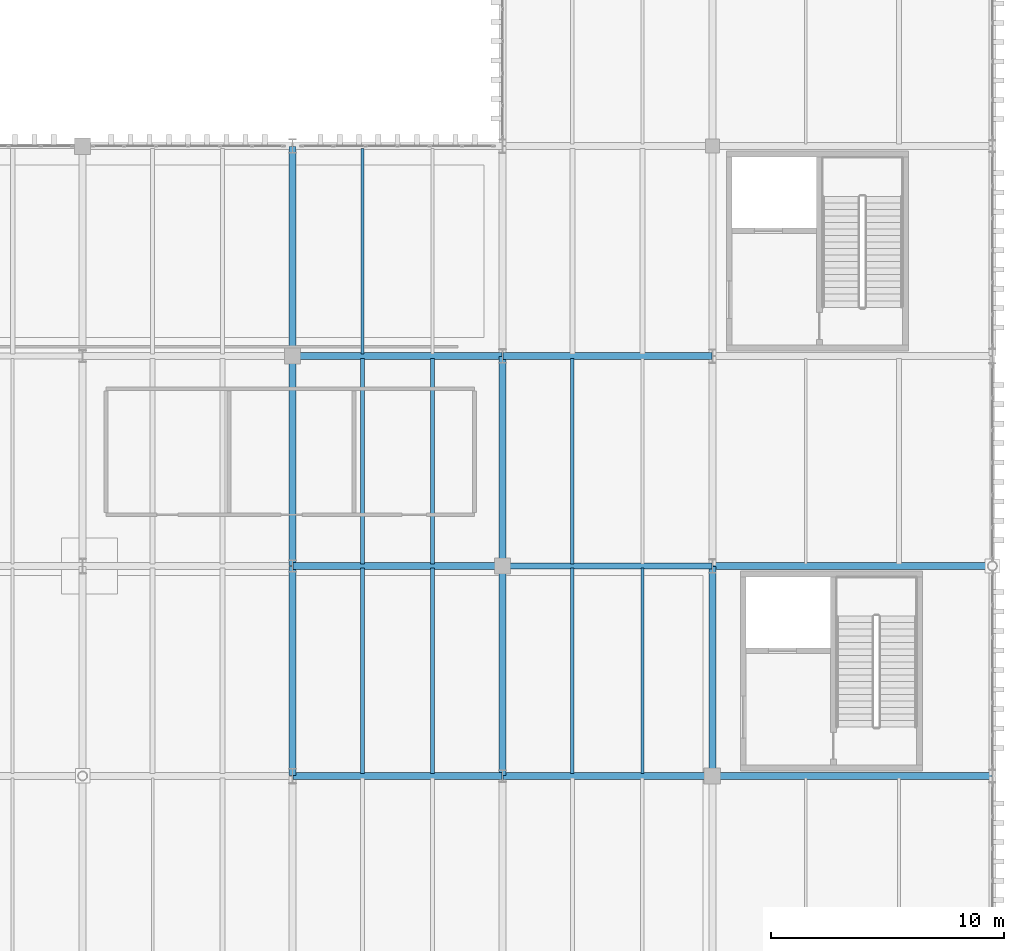
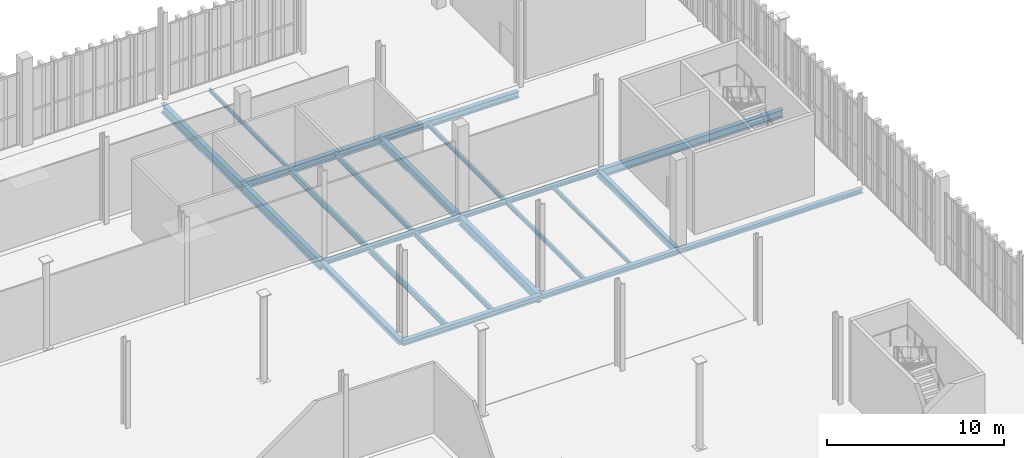
# One storey, part 97 of 211: 22 beams.
"""IFC4 building model written with IfcOpenShell, lengths in metres."""

from ifc_helpers import new_model, si_unit, direction, frame, origin, origin_2d, place, context, subcontext, project, spatial, i_section, extrude, material, material_profile, profile_set, type_object, element, save


model = new_model("IFC4")

# Units and contexts
model_context = context("Model", 3, precision=1e-05, world=origin(), true_north=direction((0.0, 1.0)))
body_context = subcontext(model_context, "Body", "Model", "MODEL_VIEW")
ifc_project = project(units=[si_unit("LENGTHUNIT", "METRE"), si_unit("AREAUNIT", "SQUARE_METRE"), si_unit("VOLUMEUNIT", "CUBIC_METRE"), si_unit("PLANEANGLEUNIT", "RADIAN"), si_unit("MASSUNIT", "GRAM", prefix="KILO")], contexts=[model_context])

# Site, building, storey
site_placement = place(None, origin())
site = spatial("IfcSite", under=ifc_project, at=site_placement, CompositionType="ELEMENT")
building_placement = place(site_placement, origin())
building = spatial("IfcBuilding", under=site, at=building_placement, Name="Barlavento Convention Centre", CompositionType="ELEMENT")
storey_placement = place(building_placement, frame((0.0, 0.0, 6.0)))
storey = spatial("IfcBuildingStorey", under=building, at=storey_placement, Name="L01", CompositionType="ELEMENT", Elevation=6.0)

# Beams
ifc_material = material(Name="Steel S355", Category="steel")
ifc_material_profile_1 = material_profile(ifc_material, i_section(OverallWidth=0.135009765625, OverallDepth=0.27001953125, WebThickness=0.006591796875, FlangeThickness=0.01025390625, FilletRadius=0.014892578125, at=origin_2d()), Name="IPE 270")
ifc_profile_set_1 = profile_set([ifc_material_profile_1], Name="Steel S355")
beam_type_1 = type_object("IfcBeamType", Name="STR-BM-JST-IPE270", PredefinedType="JOIST", material=ifc_profile_set_1)
for number, where, z_axis, x_axis, name in (
    (1, (177.0, 36.094970703125, -0.4951171875), (0.0, 1.0, 0.0), (-1.0, 0.0, 0.0), "L01 composite floor joist SJ08"),
    (2, (165.0, 54.094970703125, -0.4951171875), (0.0, 1.0, 0.0), (-1.0, 0.0, 0.0), "L01 composite floor joist SJ08"),
):
    element("IfcBeam", number, at=place(storey_placement, frame(where, z_axis=z_axis, x_axis=x_axis)), inside=storey, type_object=beam_type_1, Name=name, PredefinedType="JOIST", context=body_context, shape_type="SweptSolid", body=[
        extrude(i_section(OverallWidth=0.135009765625, OverallDepth=0.27001953125, WebThickness=0.006591796875, FlangeThickness=0.01025390625, FilletRadius=0.014892578125, at=origin_2d()), origin(), (0.0, 0.0, 1.0), 8.81005859375),
    ])
ifc_material_profile_2 = material_profile(ifc_material, i_section(OverallWidth=0.14990234375, OverallDepth=0.300048828125, WebThickness=0.007080078125, FlangeThickness=0.0107421875, FilletRadius=0.014892578125, at=origin_2d()), Name="IPE 300")
ifc_profile_set_2 = profile_set([ifc_material_profile_2], Name="Steel S355")
beam_type_2 = type_object("IfcBeamType", Name="STR-BM-JST-IPE300", PredefinedType="JOIST", material=ifc_profile_set_2)
for number, where, z_axis, x_axis, name in (
    (3, (174.0, 36.094970703125, -0.510009765625), (0.0, 1.0, 0.0), (-1.0, 0.0, 0.0), "L01 composite floor joist SJ07"),
    (4, (174.0, 45.094970703125, -0.510009765625), (0.0, 1.0, 0.0), (-1.0, 0.0, 0.0), "L01 composite floor joist SJ07"),
):
    element("IfcBeam", number, at=place(storey_placement, frame(where, z_axis=z_axis, x_axis=x_axis)), inside=storey, type_object=beam_type_2, Name=name, PredefinedType="JOIST", context=body_context, shape_type="SweptSolid", body=[
        extrude(i_section(OverallWidth=0.14990234375, OverallDepth=0.300048828125, WebThickness=0.007080078125, FlangeThickness=0.0107421875, FilletRadius=0.014892578125, at=origin_2d()), origin(), (0.0, 0.0, 1.0), 8.81005859375),
    ])
ifc_material_profile_3 = material_profile(ifc_material, i_section(OverallWidth=0.169921875, OverallDepth=0.360107421875, WebThickness=0.008056640625, FlangeThickness=0.0126953125, FilletRadius=0.01806640625, at=origin_2d()), Name="IPE 360")
ifc_profile_set_3 = profile_set([ifc_material_profile_3], Name="Steel S355")
beam_type_3 = type_object("IfcBeamType", Name="STR-BM-JST-IPE360", PredefinedType="JOIST", material=ifc_profile_set_3)
for number, where, z_axis, x_axis, name in (
    (5, (168.0, 36.094970703125, -0.5400390625), (0.0, 1.0, 0.0), (-1.0, 0.0, 0.0), "L01 composite floor joist SJ05"),
    (6, (168.0, 45.094970703125, -0.5400390625), (0.0, 1.0, 0.0), (-1.0, 0.0, 0.0), "L01 composite floor joist SJ05"),
):
    element("IfcBeam", number, at=place(storey_placement, frame(where, z_axis=z_axis, x_axis=x_axis)), inside=storey, type_object=beam_type_3, Name=name, PredefinedType="JOIST", context=body_context, shape_type="SweptSolid", body=[
        extrude(i_section(OverallWidth=0.169921875, OverallDepth=0.360107421875, WebThickness=0.008056640625, FlangeThickness=0.0126953125, FilletRadius=0.01806640625, at=origin_2d()), origin(), (0.0, 0.0, 1.0), 8.81005859375),
    ])
ifc_material_profile_4 = material_profile(ifc_material, i_section(OverallWidth=0.179931640625, OverallDepth=0.39990234375, WebThickness=0.008544921875, FlangeThickness=0.013427734375, FilletRadius=0.02099609375, at=origin_2d()), Name="IPE 400")
ifc_profile_set_4 = profile_set([ifc_material_profile_4], Name="Steel S355")
beam_type_4 = type_object("IfcBeamType", Name="STR-BM-JST-IPE400", PredefinedType="JOIST", material=ifc_profile_set_4)
for number, where, z_axis, x_axis, name in (
    (7, (165.0, 36.094970703125, -0.56005859375), (0.0, 1.0, 0.0), (-1.0, 0.0, 0.0), "L01 composite floor joist SJ04"),
    (8, (165.0, 45.094970703125, -0.56005859375), (0.0, 1.0, 0.0), (-1.0, 0.0, 0.0), "L01 composite floor joist SJ04"),
):
    element("IfcBeam", number, at=place(storey_placement, frame(where, z_axis=z_axis, x_axis=x_axis)), inside=storey, type_object=beam_type_4, Name=name, PredefinedType="JOIST", context=body_context, shape_type="SweptSolid", body=[
        extrude(i_section(OverallWidth=0.179931640625, OverallDepth=0.39990234375, WebThickness=0.008544921875, FlangeThickness=0.013427734375, FilletRadius=0.02099609375, at=origin_2d()), origin(), (0.0, 0.0, 1.0), 8.81005859375),
    ])
ifc_material_profile_5 = material_profile(ifc_material, i_section(OverallWidth=0.300048828125, OverallDepth=0.35009765625, WebThickness=0.010009765625, FlangeThickness=0.017578125, FilletRadius=0.027099609375, at=origin_2d()), Name="HEA 360")
ifc_profile_set_5 = profile_set([ifc_material_profile_5], Name="Steel S355")
beam_type_5 = type_object("IfcBeamType", Name="STR-BM-PRI-HEA360", PredefinedType="BEAM", material=ifc_profile_set_5)
beam_1_placement = place(storey_placement, frame((162.0, 36.02001953125, -0.534912109375), z_axis=(0.0, 1.0, 0.0), x_axis=(-1.0, 0.0, 0.0)))
element("IfcBeam", 9, at=beam_1_placement, inside=storey, type_object=beam_type_5, Name="L01 grid girder BG23", PredefinedType="BEAM", context=body_context, shape_type="SweptSolid", body=[
    extrude(i_section(OverallWidth=0.300048828125, OverallDepth=0.35009765625, WebThickness=0.010009765625, FlangeThickness=0.017578125, FilletRadius=0.027099609375, at=origin_2d()), origin(), (0.0, 0.0, 1.0), 8.9599609375),
])
ifc_material_profile_6 = material_profile(ifc_material, i_section(OverallWidth=0.300048828125, OverallDepth=0.43994140625, WebThickness=0.011474609375, FlangeThickness=0.02099609375, FilletRadius=0.027099609375, at=origin_2d()), Name="HEA 450")
ifc_profile_set_6 = profile_set([ifc_material_profile_6], Name="Steel S355")
beam_type_6 = type_object("IfcBeamType", Name="STR-BM-PRI-HEA450", PredefinedType="BEAM", material=ifc_profile_set_6)
beam_2_placement = place(storey_placement, frame((180.0, 36.02001953125, -0.580078125), z_axis=(0.0, 1.0, 0.0), x_axis=(-1.0, 0.0, 0.0)))
element("IfcBeam", 10, at=beam_2_placement, inside=storey, type_object=beam_type_6, Name="L01 grid girder BG21", PredefinedType="BEAM", context=body_context, shape_type="SweptSolid", body=[
    extrude(i_section(OverallWidth=0.300048828125, OverallDepth=0.43994140625, WebThickness=0.011474609375, FlangeThickness=0.02099609375, FilletRadius=0.027099609375, at=origin_2d()), origin(), (0.0, 0.0, 1.0), 8.9599609375),
])
ifc_material_profile_7 = material_profile(ifc_material, i_section(OverallWidth=0.300048828125, OverallDepth=0.489990234375, WebThickness=0.011962890625, FlangeThickness=0.02294921875, FilletRadius=0.027099609375, at=origin_2d()), Name="HEA 500")
ifc_profile_set_7 = profile_set([ifc_material_profile_7], Name="Steel S355")
beam_type_7 = type_object("IfcBeamType", Name="STR-BM-PRI-HEA500", PredefinedType="BEAM", material=ifc_profile_set_7)
beam_3_placement = place(storey_placement, frame((171.0, 45.02001953125, -0.60498046875), z_axis=(0.0, 1.0, 0.0), x_axis=(-1.0, 0.0, 0.0)))
element("IfcBeam", 11, at=beam_3_placement, inside=storey, type_object=beam_type_7, Name="L01 grid girder BG20", PredefinedType="BEAM", context=body_context, shape_type="SweptSolid", body=[
    extrude(i_section(OverallWidth=0.300048828125, OverallDepth=0.489990234375, WebThickness=0.011962890625, FlangeThickness=0.02294921875, FilletRadius=0.027099609375, at=origin_2d()), origin(), (0.0, 0.0, 1.0), 8.9599609375),
])
ifc_material_profile_8 = material_profile(ifc_material, i_section(OverallWidth=0.300048828125, OverallDepth=0.590087890625, WebThickness=0.012939453125, FlangeThickness=0.02490234375, FilletRadius=0.027099609375, at=origin_2d()), Name="HEA 600")
ifc_profile_set_8 = profile_set([ifc_material_profile_8], Name="Steel S355")
beam_type_8 = type_object("IfcBeamType", Name="STR-BM-PRI-HEA600", PredefinedType="BEAM", material=ifc_profile_set_8)
beam_4_placement = place(storey_placement, frame((171.0, 36.02001953125, -0.655029296875), z_axis=(0.0, 1.0, 0.0), x_axis=(-1.0, 0.0, 0.0)))
element("IfcBeam", 12, at=beam_4_placement, inside=storey, type_object=beam_type_8, Name="L01 grid girder BG18", PredefinedType="BEAM", context=body_context, shape_type="SweptSolid", body=[
    extrude(i_section(OverallWidth=0.300048828125, OverallDepth=0.590087890625, WebThickness=0.012939453125, FlangeThickness=0.02490234375, FilletRadius=0.027099609375, at=origin_2d()), origin(), (0.0, 0.0, 1.0), 8.9599609375),
])
ifc_material_profile_9 = material_profile(ifc_material, i_section(OverallWidth=0.300048828125, OverallDepth=0.639892578125, WebThickness=0.013427734375, FlangeThickness=0.02587890625, FilletRadius=0.027099609375, at=origin_2d()), Name="HEA 650")
ifc_profile_set_9 = profile_set([ifc_material_profile_9], Name="Steel S355")
beam_type_9 = type_object("IfcBeamType", Name="STR-BM-PRI-HEA650", PredefinedType="BEAM", material=ifc_profile_set_9)
for number, where, z_axis, x_axis, name in (
    (13, (162.0, 45.02001953125, -0.679931640625), (0.0, 1.0, 0.0), (-1.0, 0.0, 0.0), "L01 grid girder BG17"),
    (14, (162.0, 54.02001953125, -0.679931640625), (0.0, 1.0, 0.0), (-1.0, 0.0, 0.0), "L01 grid girder BG17"),
):
    element("IfcBeam", number, at=place(storey_placement, frame(where, z_axis=z_axis, x_axis=x_axis)), inside=storey, type_object=beam_type_9, Name=name, PredefinedType="BEAM", context=body_context, shape_type="SweptSolid", body=[
        extrude(i_section(OverallWidth=0.300048828125, OverallDepth=0.639892578125, WebThickness=0.013427734375, FlangeThickness=0.02587890625, FilletRadius=0.027099609375, at=origin_2d()), origin(), (0.0, 0.0, 1.0), 8.9599609375),
    ])
ifc_material_profile_10 = material_profile(ifc_material, i_section(OverallWidth=0.260009765625, OverallDepth=0.260009765625, WebThickness=0.010009765625, FlangeThickness=0.017578125, FilletRadius=0.02392578125, at=origin_2d()), Name="HEB 260")
ifc_profile_set_10 = profile_set([ifc_material_profile_10], Name="Steel S355")
beam_type_10 = type_object("IfcBeamType", Name="STR-BM-PRI-HEB260", PredefinedType="BEAM", material=ifc_profile_set_10)
beam_5_placement = place(storey_placement, frame((171.02001953125, 45.0, -0.489990234375), z_axis=(1.0, 0.0, 0.0), x_axis=(0.0, 1.0, 0.0)))
element("IfcBeam", 15, at=beam_5_placement, inside=storey, type_object=beam_type_10, Name="L01 primary girder BG16", PredefinedType="BEAM", context=body_context, shape_type="SweptSolid", body=[
    extrude(i_section(OverallWidth=0.260009765625, OverallDepth=0.260009765625, WebThickness=0.010009765625, FlangeThickness=0.017578125, FilletRadius=0.02392578125, at=origin_2d()), origin(), (0.0, 0.0, 1.0), 8.9599609375),
])
ifc_material_profile_11 = material_profile(ifc_material, i_section(OverallWidth=0.280029296875, OverallDepth=0.280029296875, WebThickness=0.010498046875, FlangeThickness=0.01806640625, FilletRadius=0.02392578125, at=origin_2d()), Name="HEB 280")
ifc_profile_set_11 = profile_set([ifc_material_profile_11], Name="Steel S355")
beam_type_11 = type_object("IfcBeamType", Name="STR-BM-PRI-HEB280", PredefinedType="BEAM", material=ifc_profile_set_11)
beam_6_placement = place(storey_placement, frame((162.02001953125, 45.0, -0.5), z_axis=(1.0, 0.0, 0.0), x_axis=(0.0, 1.0, 0.0)))
element("IfcBeam", 16, at=beam_6_placement, inside=storey, type_object=beam_type_11, Name="L01 primary girder BG15", PredefinedType="BEAM", context=body_context, shape_type="SweptSolid", body=[
    extrude(i_section(OverallWidth=0.280029296875, OverallDepth=0.280029296875, WebThickness=0.010498046875, FlangeThickness=0.01806640625, FilletRadius=0.02392578125, at=origin_2d()), origin(), (0.0, 0.0, 1.0), 8.9599609375),
])
ifc_material_profile_12 = material_profile(ifc_material, i_section(OverallWidth=0.300048828125, OverallDepth=0.300048828125, WebThickness=0.010986328125, FlangeThickness=0.01904296875, FilletRadius=0.027099609375, at=origin_2d()), Name="HEB 300")
ifc_profile_set_12 = profile_set([ifc_material_profile_12], Name="Steel S355")
beam_type_12 = type_object("IfcBeamType", Name="STR-BM-PRI-HEB300", PredefinedType="BEAM", material=ifc_profile_set_12)
beam_7_placement = place(storey_placement, frame((180.02001953125, 36.0, -0.510009765625), z_axis=(1.0, 0.0, 0.0), x_axis=(0.0, 1.0, 0.0)))
element("IfcBeam", 17, at=beam_7_placement, inside=storey, type_object=beam_type_12, Name="L01 primary girder BG14", PredefinedType="BEAM", context=body_context, shape_type="SweptSolid", body=[
    extrude(i_section(OverallWidth=0.300048828125, OverallDepth=0.300048828125, WebThickness=0.010986328125, FlangeThickness=0.01904296875, FilletRadius=0.027099609375, at=origin_2d()), origin(), (0.0, 0.0, 1.0), 11.9599609375),
])
ifc_material_profile_13 = material_profile(ifc_material, i_section(OverallWidth=0.300048828125, OverallDepth=0.320068359375, WebThickness=0.011474609375, FlangeThickness=0.0205078125, FilletRadius=0.027099609375, at=origin_2d()), Name="HEB 320")
ifc_profile_set_13 = profile_set([ifc_material_profile_13], Name="Steel S355")
beam_type_13 = type_object("IfcBeamType", Name="STR-BM-PRI-HEB320", PredefinedType="BEAM", material=ifc_profile_set_13)
beam_8_placement = place(storey_placement, frame((171.02001953125, 36.0, -0.52001953125), z_axis=(1.0, 0.0, 0.0), x_axis=(0.0, 1.0, 0.0)))
element("IfcBeam", 18, at=beam_8_placement, inside=storey, type_object=beam_type_13, Name="L01 primary girder BG13", PredefinedType="BEAM", context=body_context, shape_type="SweptSolid", body=[
    extrude(i_section(OverallWidth=0.300048828125, OverallDepth=0.320068359375, WebThickness=0.011474609375, FlangeThickness=0.0205078125, FilletRadius=0.027099609375, at=origin_2d()), origin(), (0.0, 0.0, 1.0), 8.9599609375),
])
ifc_material_profile_14 = material_profile(ifc_material, i_section(OverallWidth=0.300048828125, OverallDepth=0.360107421875, WebThickness=0.012451171875, FlangeThickness=0.0224609375, FilletRadius=0.027099609375, at=origin_2d()), Name="HEB 360")
ifc_profile_set_14 = profile_set([ifc_material_profile_14], Name="Steel S355")
beam_type_14 = type_object("IfcBeamType", Name="STR-BM-PRI-HEB360", PredefinedType="BEAM", material=ifc_profile_set_14)
beam_9_placement = place(storey_placement, frame((162.02001953125, 36.0, -0.5400390625), z_axis=(1.0, 0.0, 0.0), x_axis=(0.0, 1.0, 0.0)))
element("IfcBeam", 19, at=beam_9_placement, inside=storey, type_object=beam_type_14, Name="L01 primary girder BG12", PredefinedType="BEAM", context=body_context, shape_type="SweptSolid", body=[
    extrude(i_section(OverallWidth=0.300048828125, OverallDepth=0.360107421875, WebThickness=0.012451171875, FlangeThickness=0.0224609375, FilletRadius=0.027099609375, at=origin_2d()), origin(), (0.0, 0.0, 1.0), 8.9599609375),
])
ifc_material_profile_15 = material_profile(ifc_material, i_section(OverallWidth=0.300048828125, OverallDepth=0.449951171875, WebThickness=0.013916015625, FlangeThickness=0.02587890625, FilletRadius=0.027099609375, at=origin_2d()), Name="HEB 450")
ifc_profile_set_15 = profile_set([ifc_material_profile_15], Name="Steel S355")
beam_type_15 = type_object("IfcBeamType", Name="STR-BM-PRI-HEB450", PredefinedType="BEAM", material=ifc_profile_set_15)
beam_10_placement = place(storey_placement, frame((171.02001953125, 54.0, -0.5849609375), z_axis=(1.0, 0.0, 0.0), x_axis=(0.0, 1.0, 0.0)))
element("IfcBeam", 20, at=beam_10_placement, inside=storey, type_object=beam_type_15, Name="L01 primary girder BG10", PredefinedType="BEAM", context=body_context, shape_type="SweptSolid", body=[
    extrude(i_section(OverallWidth=0.300048828125, OverallDepth=0.449951171875, WebThickness=0.013916015625, FlangeThickness=0.02587890625, FilletRadius=0.027099609375, at=origin_2d()), origin(), (0.0, 0.0, 1.0), 8.9599609375),
])
ifc_material_profile_16 = material_profile(ifc_material, i_section(OverallWidth=0.300048828125, OverallDepth=0.5, WebThickness=0.014404296875, FlangeThickness=0.028076171875, FilletRadius=0.027099609375, at=origin_2d()), Name="HEB 500")
ifc_profile_set_16 = profile_set([ifc_material_profile_16], Name="Steel S355")
beam_type_16 = type_object("IfcBeamType", Name="STR-BM-PRI-HEB500", PredefinedType="BEAM", material=ifc_profile_set_16)
beam_11_placement = place(storey_placement, frame((162.02001953125, 54.0, -0.610107421875), z_axis=(1.0, 0.0, 0.0), x_axis=(0.0, 1.0, 0.0)))
element("IfcBeam", 21, at=beam_11_placement, inside=storey, type_object=beam_type_16, Name="L01 primary girder BG09", PredefinedType="BEAM", context=body_context, shape_type="SweptSolid", body=[
    extrude(i_section(OverallWidth=0.300048828125, OverallDepth=0.5, WebThickness=0.014404296875, FlangeThickness=0.028076171875, FilletRadius=0.027099609375, at=origin_2d()), origin(), (0.0, 0.0, 1.0), 8.9599609375),
])
ifc_material_profile_17 = material_profile(ifc_material, i_section(OverallWidth=0.300048828125, OverallDepth=0.550048828125, WebThickness=0.014892578125, FlangeThickness=0.029052734375, FilletRadius=0.027099609375, at=origin_2d()), Name="HEB 550")
ifc_profile_set_17 = profile_set([ifc_material_profile_17], Name="Steel S355")
beam_type_17 = type_object("IfcBeamType", Name="STR-BM-PRI-HEB550", PredefinedType="BEAM", material=ifc_profile_set_17)
beam_12_placement = place(storey_placement, frame((180.02001953125, 45.0, -0.635009765625), z_axis=(1.0, 0.0, 0.0), x_axis=(0.0, 1.0, 0.0)))
element("IfcBeam", 22, at=beam_12_placement, inside=storey, type_object=beam_type_17, Name="L01 primary girder BG08", PredefinedType="BEAM", context=body_context, shape_type="SweptSolid", body=[
    extrude(i_section(OverallWidth=0.300048828125, OverallDepth=0.550048828125, WebThickness=0.014892578125, FlangeThickness=0.029052734375, FilletRadius=0.027099609375, at=origin_2d()), origin(), (0.0, 0.0, 1.0), 11.9599609375),
])

save(model, "model.ifc")
